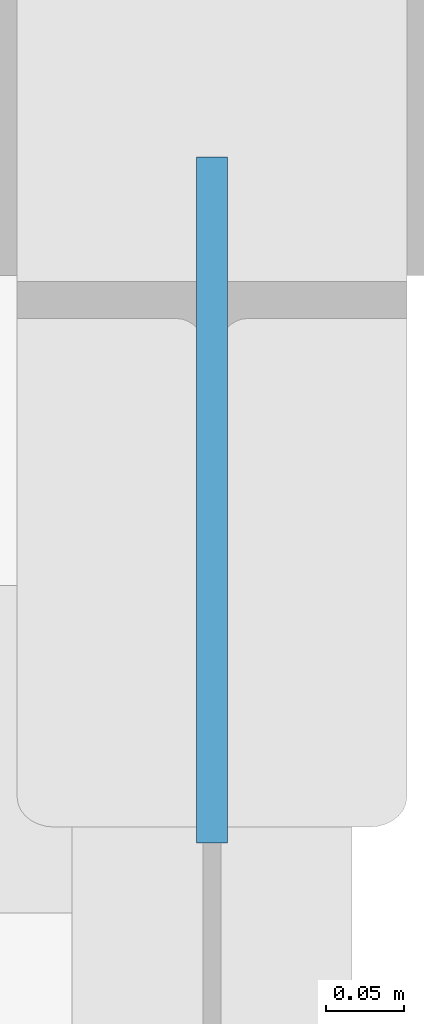
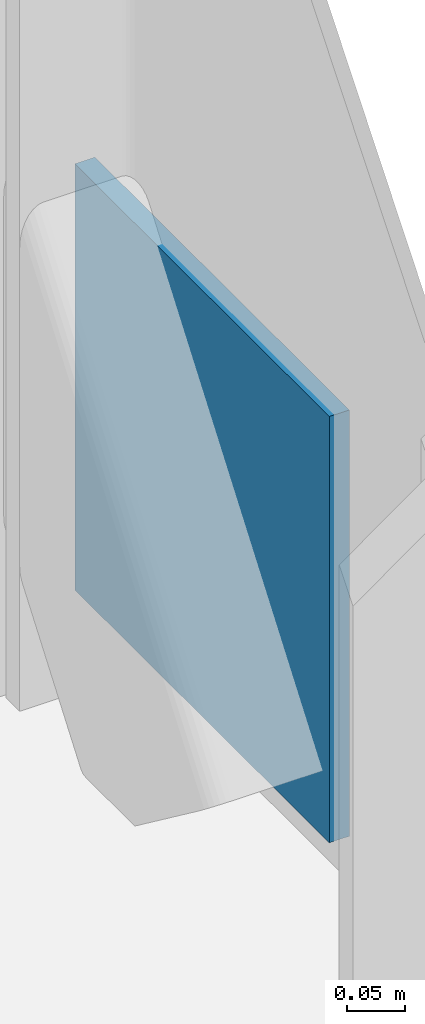
# One storey, part 74 of 96: 1 discrete accessory.
"""IFC4 building model written with IfcOpenShell, lengths in metres."""

from ifc_helpers import new_model, si_unit, direction, frame, origin, origin_2d, place, context, subcontext, project, spatial, rectangle, extrude, material, layer, layer_set, type_object, element, save


model = new_model("IFC4")

# Units and contexts
model_context = context("Model", 3, precision=1e-05, world=origin(), true_north=direction((0.0, 1.0)))
body_context = subcontext(model_context, "Body", "Model", "MODEL_VIEW")
ifc_project = project(units=[si_unit("LENGTHUNIT", "METRE"), si_unit("AREAUNIT", "SQUARE_METRE"), si_unit("VOLUMEUNIT", "CUBIC_METRE"), si_unit("PLANEANGLEUNIT", "RADIAN"), si_unit("MASSUNIT", "GRAM", prefix="KILO")], contexts=[model_context])

# Site, building, storey
site_placement = place(None, origin())
site = spatial("IfcSite", under=ifc_project, at=site_placement, CompositionType="ELEMENT")
building_placement = place(site_placement, origin())
building = spatial("IfcBuilding", under=site, at=building_placement, Name="Varnakota Square Police Headquarters", CompositionType="ELEMENT")
storey_placement = place(building_placement, frame((0.0, 0.0, 4.800048828125)))
storey = spatial("IfcBuildingStorey", under=building, at=storey_placement, Name="L01", CompositionType="ELEMENT", Elevation=4.800048828125)

# Discrete accessory
ifc_material = material(Name="Steel IS 2062 Grade 350", Category="steel")
ifc_layer = layer(ifc_material, 0.64990234375, Name="Steel IS 2062 Grade 350")
ifc_layer_set = layer_set([ifc_layer], Name="Steel IS 2062 Grade 350")
discrete_accessory_type = type_object("IfcDiscreteAccessoryType", Name="ACC-EMB-350", PredefinedType="BRACKET", material=ifc_layer_set)
discrete_accessory_placement = place(storey_placement, frame((42.0, 27.159912109375, 0.02490234375), z_axis=(0.0, 0.0, 1.0), x_axis=(0.0, 1.0, 0.0)))
element("IfcDiscreteAccessory", 1, at=discrete_accessory_placement, inside=storey, type_object=discrete_accessory_type, Name="Brace gusset connection plate BF3 L01 L", PredefinedType="BRACKET", context=body_context, shape_type="SweptSolid", body=[
    extrude(rectangle(XDim=0.43994140625, YDim=0.02001953125, at=origin_2d()), origin(), (0.0, 0.0, 1.0), 0.449951171875),
])

save(model, "model.ifc")
